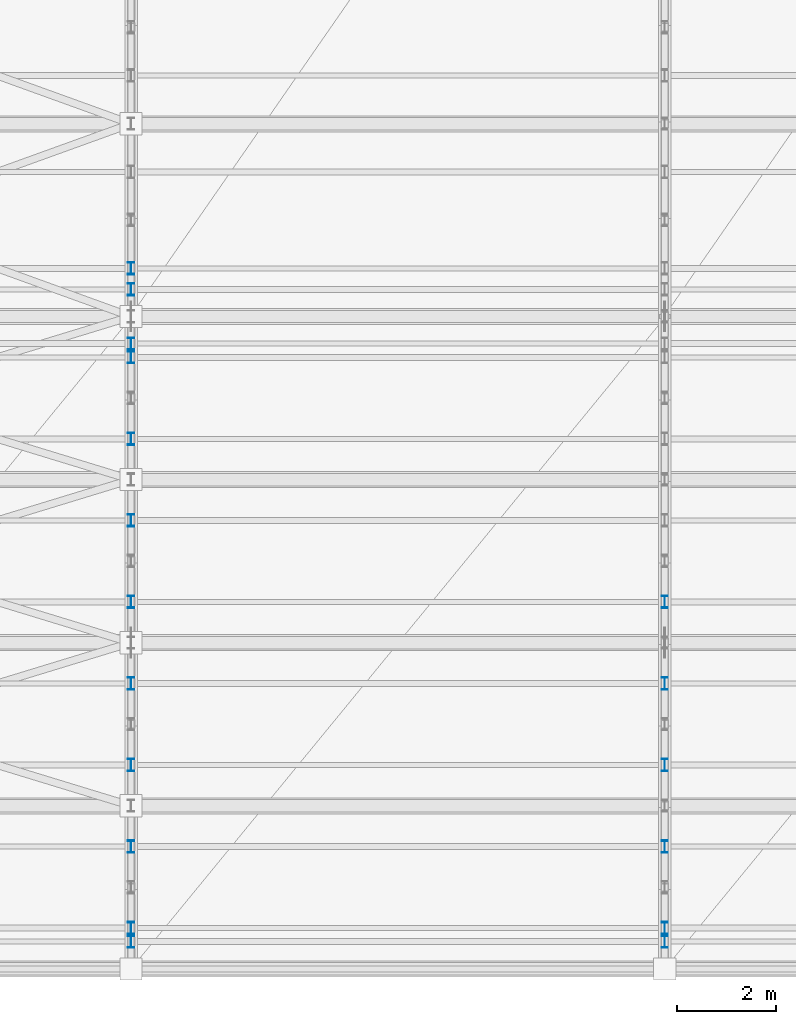
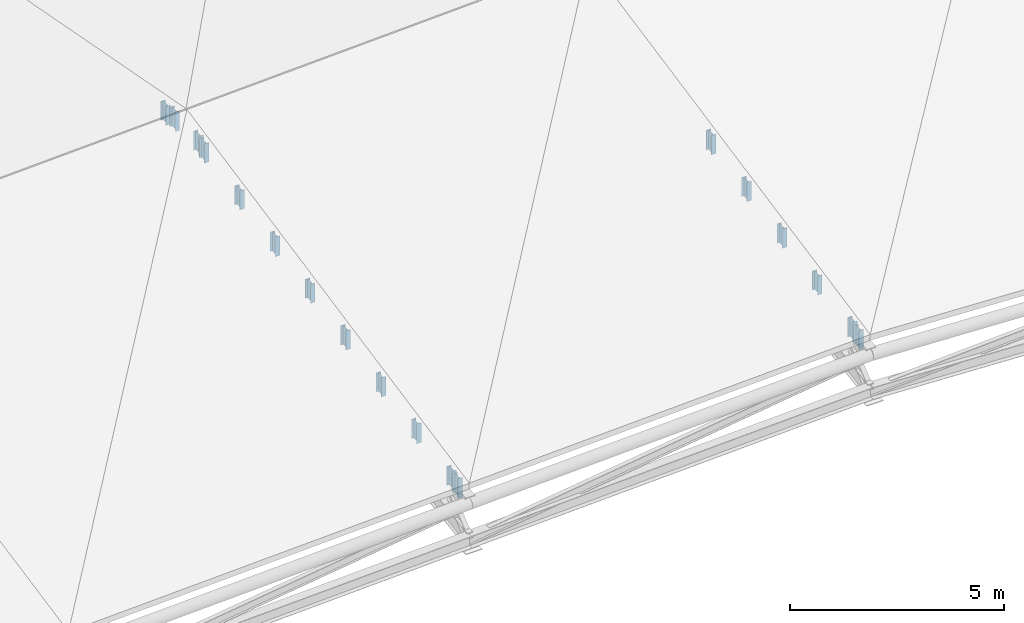
# One storey, part 52 of 89: 18 members.
"""IFC4 building model written with IfcOpenShell, lengths in metres."""

from ifc_helpers import new_model, si_unit, direction, frame, origin, origin_2d, place, context, subcontext, project, spatial, i_section, extrude, material, material_profile, profile_set, type_object, element, save


model = new_model("IFC4")

# Units and contexts
model_context = context("Model", 3, precision=1e-05, world=origin(), true_north=direction((0.0, 1.0)))
body_context = subcontext(model_context, "Body", "Model", "MODEL_VIEW")
ifc_project = project(units=[si_unit("LENGTHUNIT", "METRE"), si_unit("AREAUNIT", "SQUARE_METRE"), si_unit("VOLUMEUNIT", "CUBIC_METRE"), si_unit("PLANEANGLEUNIT", "RADIAN"), si_unit("MASSUNIT", "GRAM", prefix="KILO")], contexts=[model_context])

# Site, building, storey
site_placement = place(None, origin())
site = spatial("IfcSite", under=ifc_project, at=site_placement, CompositionType="ELEMENT")
building_placement = place(site_placement, origin())
building = spatial("IfcBuilding", under=site, at=building_placement, Name="Suirenkawa Promenade Aquatics Centre", CompositionType="ELEMENT")
storey_placement = place(building_placement, frame((0.0, 0.0, 9.60009765625)))
storey = spatial("IfcBuildingStorey", under=building, at=storey_placement, Name="L02", CompositionType="ELEMENT", Elevation=9.60009765625)

# Members
ifc_material = material(Name="Steel IS 2062 E350 (Grade 350)", Category="steel")
ifc_material_profile = material_profile(ifc_material, i_section(OverallWidth=0.125, OverallDepth=0.25, WebThickness=0.007080078125, FlangeThickness=0.012939453125, at=origin_2d()), Name="ISMB 250", Category="steel")
ifc_profile_set = profile_set([ifc_material_profile], Name="Steel IS 2062 E350 (Grade 350)")
member_type = type_object("IfcMemberType", Name="MT-WEB-CHS168", PredefinedType="BRACE", material=ifc_profile_set)
member_1_placement = place(storey_placement, frame((133.199951171875, 0.550048828125, -0.77001953125), z_axis=(0.0, 0.0, 1.0), x_axis=(1.0, 0.0, 0.0)))
element("IfcMember", 1, at=member_1_placement, inside=storey, type_object=member_type, Name="ROOF TRUSS Purlin cleat post TD-03 MB-2786", PredefinedType="BRACE", context=body_context, shape_type="SweptSolid", body=[
    extrude(i_section(OverallWidth=0.125, OverallDepth=0.25, WebThickness=0.007080078125, FlangeThickness=0.012939453125, at=origin_2d()), origin(), (0.0, 0.0, 1.0), 0.552001953125),
])
member_2_placement = place(storey_placement, frame((133.199951171875, 0.824951171875, -0.714111328125), z_axis=(0.0, 0.0, 1.0), x_axis=(1.0, 0.0, 0.0)))
element("IfcMember", 2, at=member_2_placement, inside=storey, type_object=member_type, Name="ROOF TRUSS Purlin cleat post TD-03 MB-2788", PredefinedType="BRACE", context=body_context, shape_type="SweptSolid", body=[
    extrude(i_section(OverallWidth=0.125, OverallDepth=0.25, WebThickness=0.007080078125, FlangeThickness=0.012939453125, at=origin_2d()), origin(), (0.0, 0.0, 1.0), 0.5400390625),
])
member_3_placement = place(storey_placement, frame((133.199951171875, 2.47509765625, -0.383056640625), z_axis=(0.0, 0.0, 1.0), x_axis=(1.0, 0.0, 0.0)))
element("IfcMember", 3, at=member_3_placement, inside=storey, type_object=member_type, Name="ROOF TRUSS Purlin cleat post TD-03 MB-2790", PredefinedType="BRACE", context=body_context, shape_type="SweptSolid", body=[
    extrude(i_section(OverallWidth=0.125, OverallDepth=0.25, WebThickness=0.007080078125, FlangeThickness=0.012939453125, at=origin_2d()), origin(), (0.0, 0.0, 1.0), 0.552001953125),
])
member_4_placement = place(storey_placement, frame((133.199951171875, 4.125, -0.052001953125), z_axis=(0.0, 0.0, 1.0), x_axis=(1.0, 0.0, 0.0)))
element("IfcMember", 4, at=member_4_placement, inside=storey, type_object=member_type, Name="ROOF TRUSS Purlin cleat post TD-03 MB-2792", PredefinedType="BRACE", context=body_context, shape_type="SweptSolid", body=[
    extrude(i_section(OverallWidth=0.125, OverallDepth=0.25, WebThickness=0.007080078125, FlangeThickness=0.012939453125, at=origin_2d()), origin(), (0.0, 0.0, 1.0), 0.539794921875),
])
member_5_placement = place(storey_placement, frame((133.199951171875, 5.77490234375, 0.27880859375), z_axis=(0.0, 0.0, 1.0), x_axis=(1.0, 0.0, 0.0)))
element("IfcMember", 5, at=member_5_placement, inside=storey, type_object=member_type, Name="ROOF TRUSS Purlin cleat post TD-03 MB-2794", PredefinedType="BRACE", context=body_context, shape_type="SweptSolid", body=[
    extrude(i_section(OverallWidth=0.125, OverallDepth=0.25, WebThickness=0.007080078125, FlangeThickness=0.012939453125, at=origin_2d()), origin(), (0.0, 0.0, 1.0), 0.552001953125),
])
member_6_placement = place(storey_placement, frame((133.199951171875, 7.425048828125, 0.61083984375), z_axis=(0.0, 0.0, 1.0), x_axis=(1.0, 0.0, 0.0)))
element("IfcMember", 6, at=member_6_placement, inside=storey, type_object=member_type, Name="ROOF TRUSS Purlin cleat post TD-03 MB-2796", PredefinedType="BRACE", context=body_context, shape_type="SweptSolid", body=[
    extrude(i_section(OverallWidth=0.125, OverallDepth=0.25, WebThickness=0.007080078125, FlangeThickness=0.012939453125, at=origin_2d()), origin(), (0.0, 0.0, 1.0), 0.5400390625),
])
member_7_placement = place(storey_placement, frame((133.199951171875, 9.074951171875, 0.94189453125), z_axis=(0.0, 0.0, 1.0), x_axis=(1.0, 0.0, 0.0)))
element("IfcMember", 7, at=member_7_placement, inside=storey, type_object=member_type, Name="ROOF TRUSS Purlin cleat post TD-03 MB-2798", PredefinedType="BRACE", context=body_context, shape_type="SweptSolid", body=[
    extrude(i_section(OverallWidth=0.125, OverallDepth=0.25, WebThickness=0.007080078125, FlangeThickness=0.012939453125, at=origin_2d()), origin(), (0.0, 0.0, 1.0), 0.552001953125),
])
member_8_placement = place(storey_placement, frame((133.199951171875, 10.72509765625, 1.27294921875), z_axis=(0.0, 0.0, 1.0), x_axis=(1.0, 0.0, 0.0)))
element("IfcMember", 8, at=member_8_placement, inside=storey, type_object=member_type, Name="ROOF TRUSS Purlin cleat post TD-03 MB-2800", PredefinedType="BRACE", context=body_context, shape_type="SweptSolid", body=[
    extrude(i_section(OverallWidth=0.125, OverallDepth=0.25, WebThickness=0.007080078125, FlangeThickness=0.012939453125, at=origin_2d()), origin(), (0.0, 0.0, 1.0), 0.5400390625),
])
member_9_placement = place(storey_placement, frame((133.199951171875, 12.375, 1.60400390625), z_axis=(0.0, 0.0, 1.0), x_axis=(1.0, 0.0, 0.0)))
element("IfcMember", 9, at=member_9_placement, inside=storey, type_object=member_type, Name="ROOF TRUSS Purlin cleat post TD-03 MB-2802", PredefinedType="BRACE", context=body_context, shape_type="SweptSolid", body=[
    extrude(i_section(OverallWidth=0.125, OverallDepth=0.25, WebThickness=0.007080078125, FlangeThickness=0.012939453125, at=origin_2d()), origin(), (0.0, 0.0, 1.0), 0.552001953125),
])
member_10_placement = place(storey_placement, frame((133.199951171875, 12.64990234375, 1.659912109375), z_axis=(0.0, 0.0, 1.0), x_axis=(1.0, 0.0, 0.0)))
element("IfcMember", 10, at=member_10_placement, inside=storey, type_object=member_type, Name="ROOF TRUSS Purlin cleat post TD-03 MB-2804", PredefinedType="BRACE", context=body_context, shape_type="SweptSolid", body=[
    extrude(i_section(OverallWidth=0.125, OverallDepth=0.25, WebThickness=0.007080078125, FlangeThickness=0.012939453125, at=origin_2d()), origin(), (0.0, 0.0, 1.0), 0.5400390625),
])
member_11_placement = place(storey_placement, frame((133.199951171875, 13.75, 1.666015625), z_axis=(0.0, 0.0, 1.0), x_axis=(1.0, 0.0, 0.0)))
element("IfcMember", 11, at=member_11_placement, inside=storey, type_object=member_type, Name="ROOF TRUSS Purlin cleat post TD-03 MB-2806", PredefinedType="BRACE", context=body_context, shape_type="SweptSolid", body=[
    extrude(i_section(OverallWidth=0.125, OverallDepth=0.25, WebThickness=0.007080078125, FlangeThickness=0.012939453125, at=origin_2d()), origin(), (0.0, 0.0, 1.0), 0.552978515625),
])
member_12_placement = place(storey_placement, frame((133.199951171875, 14.175048828125, 1.5859375), z_axis=(0.0, 0.0, 1.0), x_axis=(1.0, 0.0, 0.0)))
element("IfcMember", 12, at=member_12_placement, inside=storey, type_object=member_type, Name="ROOF TRUSS Purlin cleat post TD-03 MB-2808", PredefinedType="BRACE", context=body_context, shape_type="SweptSolid", body=[
    extrude(i_section(OverallWidth=0.125, OverallDepth=0.25, WebThickness=0.007080078125, FlangeThickness=0.012939453125, at=origin_2d()), origin(), (0.0, 0.0, 1.0), 0.541015625),
])
member_13_placement = place(storey_placement, frame((144.0, 0.550048828125, -0.320068359375), z_axis=(0.0, 0.0, 1.0), x_axis=(1.0, 0.0, 0.0)))
element("IfcMember", 13, at=member_13_placement, inside=storey, type_object=member_type, Name="ROOF TRUSS Purlin cleat post TD-03 MB-2826", PredefinedType="BRACE", context=body_context, shape_type="SweptSolid", body=[
    extrude(i_section(OverallWidth=0.125, OverallDepth=0.25, WebThickness=0.007080078125, FlangeThickness=0.012939453125, at=origin_2d()), origin(), (0.0, 0.0, 1.0), 0.5400390625),
])
member_14_placement = place(storey_placement, frame((144.0, 0.824951171875, -0.26416015625), z_axis=(0.0, 0.0, 1.0), x_axis=(1.0, 0.0, 0.0)))
element("IfcMember", 14, at=member_14_placement, inside=storey, type_object=member_type, Name="ROOF TRUSS Purlin cleat post TD-03 MB-2828", PredefinedType="BRACE", context=body_context, shape_type="SweptSolid", body=[
    extrude(i_section(OverallWidth=0.125, OverallDepth=0.25, WebThickness=0.007080078125, FlangeThickness=0.012939453125, at=origin_2d()), origin(), (0.0, 0.0, 1.0), 0.552001953125),
])
member_15_placement = place(storey_placement, frame((144.0, 2.47509765625, 0.06689453125), z_axis=(0.0, 0.0, 1.0), x_axis=(1.0, 0.0, 0.0)))
element("IfcMember", 15, at=member_15_placement, inside=storey, type_object=member_type, Name="ROOF TRUSS Purlin cleat post TD-03 MB-2830", PredefinedType="BRACE", context=body_context, shape_type="SweptSolid", body=[
    extrude(i_section(OverallWidth=0.125, OverallDepth=0.25, WebThickness=0.007080078125, FlangeThickness=0.012939453125, at=origin_2d()), origin(), (0.0, 0.0, 1.0), 0.5400390625),
])
member_16_placement = place(storey_placement, frame((144.0, 4.125, 0.39794921875), z_axis=(0.0, 0.0, 1.0), x_axis=(1.0, 0.0, 0.0)))
element("IfcMember", 16, at=member_16_placement, inside=storey, type_object=member_type, Name="ROOF TRUSS Purlin cleat post TD-03 MB-2832", PredefinedType="BRACE", context=body_context, shape_type="SweptSolid", body=[
    extrude(i_section(OverallWidth=0.125, OverallDepth=0.25, WebThickness=0.007080078125, FlangeThickness=0.012939453125, at=origin_2d()), origin(), (0.0, 0.0, 1.0), 0.552001953125),
])
member_17_placement = place(storey_placement, frame((144.0, 5.77490234375, 0.72900390625), z_axis=(0.0, 0.0, 1.0), x_axis=(1.0, 0.0, 0.0)))
element("IfcMember", 17, at=member_17_placement, inside=storey, type_object=member_type, Name="ROOF TRUSS Purlin cleat post TD-03 MB-2834", PredefinedType="BRACE", context=body_context, shape_type="SweptSolid", body=[
    extrude(i_section(OverallWidth=0.125, OverallDepth=0.25, WebThickness=0.007080078125, FlangeThickness=0.012939453125, at=origin_2d()), origin(), (0.0, 0.0, 1.0), 0.539794921875),
])
member_18_placement = place(storey_placement, frame((144.0, 7.425048828125, 1.060791015625), z_axis=(0.0, 0.0, 1.0), x_axis=(1.0, 0.0, 0.0)))
element("IfcMember", 18, at=member_18_placement, inside=storey, type_object=member_type, Name="ROOF TRUSS Purlin cleat post TD-03 MB-2836", PredefinedType="BRACE", context=body_context, shape_type="SweptSolid", body=[
    extrude(i_section(OverallWidth=0.125, OverallDepth=0.25, WebThickness=0.007080078125, FlangeThickness=0.012939453125, at=origin_2d()), origin(), (0.0, 0.0, 1.0), 0.552001953125),
])

save(model, "model.ifc")
